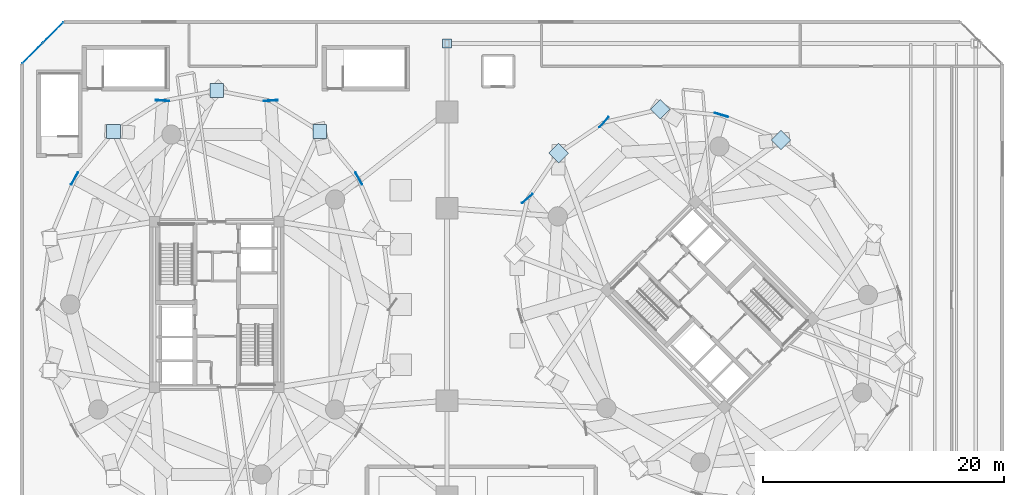
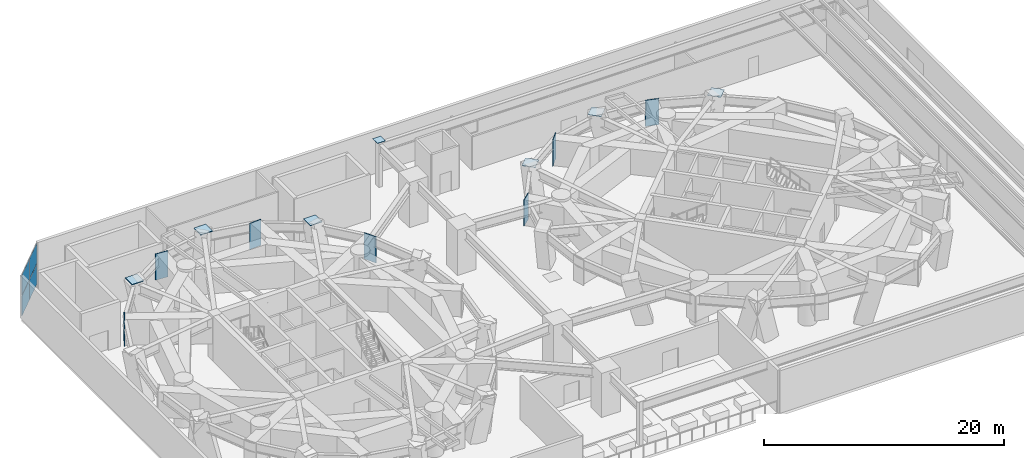
# One storey, part 15 of 25: 18 plates, 1 element without a shape of its own.
"""IFC4 building model written with IfcOpenShell, lengths in metres."""

from ifc_helpers import new_model, si_unit, direction, frame, origin, origin_2d, place, context, subcontext, project, spatial, rectangle, extrude, source, transform, mapped, material, layer, layer_set, type_object, element, aggregate, save


model = new_model("IFC4")

# Units and contexts
model_context = context("Model", 3, precision=1e-05, world=origin(), true_north=direction((0.0, 1.0)))
body_context = subcontext(model_context, "Body", "Model", "MODEL_VIEW")
ifc_project = project(units=[si_unit("LENGTHUNIT", "METRE"), si_unit("AREAUNIT", "SQUARE_METRE"), si_unit("VOLUMEUNIT", "CUBIC_METRE"), si_unit("PLANEANGLEUNIT", "RADIAN"), si_unit("MASSUNIT", "GRAM", prefix="KILO")], contexts=[model_context])

# Site, building, storey
site_placement = place(None, origin())
site = spatial("IfcSite", under=ifc_project, at=site_placement, CompositionType="ELEMENT")
building_placement = place(site_placement, origin())
building = spatial("IfcBuilding", under=site, at=building_placement, Name="Cununo Teusaquillo Station Towers", CompositionType="ELEMENT")
storey_placement = place(building_placement, frame((0.0, 0.0, 17.39990234375)))
storey = spatial("IfcBuildingStorey", under=building, at=storey_placement, Name="L04", CompositionType="ELEMENT", Elevation=17.39990234375)

# Plates
ifc_material_1 = material(Name="Steel ASTM A572 Grade 50", Category="steel")
ifc_layer_1 = layer(ifc_material_1, 0.06005859375)
ifc_layer_set_1 = layer_set([ifc_layer_1], Name="Steel ASTM A572 Grade 50")
plate_type_1 = type_object("IfcPlateType", Name="PLT-NODE-BDN1", PredefinedType="USERDEFINED", material=ifc_layer_set_1)
shared_shape_1 = source(origin(), body_context, "Body", "SweptSolid", [
    extrude(rectangle(XDim=1.14990234375, YDim=1.14990234375, at=origin_2d()), origin(), (0.0, 0.0, 1.0), 0.06005859375),
])
for number, where, z_axis, x_axis, name in (
    (1, (25.064697265625, 38.892333984375, 4.5400390625), (0.0, 0.0, 1.0), (1.0, 0.0, 0.0), "L04 Tower A V-Foot Pier Head Plate V02R"),
    (2, (16.5, 42.2900390625, 4.5400390625), (0.0, 0.0, 1.0), (1.0, 0.0, 0.0), "L04 Tower A V-Foot Pier Head Plate V06L"),
    (3, (7.935302734375, 38.892333984375, 4.5400390625), (0.0, 0.0, 1.0), (1.0, 0.0, 0.0), "L04 Tower A V-Foot Pier Head Plate V06R"),
    (4, (63.41162109375, 38.186279296875, 4.5400390625), (0.0, 0.0, 1.0), (0.707106781187, 0.707106781187, 0.0), "L04 Tower B V-Foot Pier Head Plate V02L"),
    (5, (53.379150390625, 40.733154296875, 4.5400390625), (0.0, 0.0, 1.0), (0.707106781187, 0.707106781187, 0.0), "L04 Tower B V-Foot Pier Head Plate V02R"),
    (6, (44.920654296875, 37.079345703125, 4.5400390625), (0.0, 0.0, 1.0), (0.707106781187, 0.707106781187, 0.0), "L04 Tower B V-Foot Pier Head Plate V06L"),
):
    element("IfcPlate", number, at=place(storey_placement, frame(where, z_axis=z_axis, x_axis=x_axis)), inside=storey, type_object=plate_type_1, Name=name, ObjectType="BASE PLATE", PredefinedType="USERDEFINED", context=body_context, shape_type="MappedRepresentation", body=[
        mapped(shared_shape_1, transform((0.0, 0.0, 0.0), x_axis=(1.0, 0.0, 0.0), y_axis=(0.0, 1.0, 0.0), z_axis=(0.0, 0.0, 1.0), scale=1.0)),
    ])
shared_shape_2 = source(origin(), body_context, "Body", "SweptSolid", [
    extrude(rectangle(XDim=0.06005859375, YDim=1.14990234375, at=origin_2d()), origin(), (0.0, 0.0, 1.0), 2.659912109375),
])
for number, where, z_axis, x_axis, name in (
    (7, (28.314697265625, 34.970947265625, 1.7099609375), (0.0, 0.0, 1.0), (0.879565547385, 0.475777729464, 0.0), "L04 Tower A Transfer Girder End-Cap Plate 02"),
    (8, (21.000732421875, 41.44921875, 1.7099609375), (0.0, 0.0, 1.0), (-0.066796338919, 0.997766630584, 0.0), "L04 Tower A Transfer Girder End-Cap Plate 03"),
    (9, (11.999267578125, 41.44921875, 1.7099609375), (0.0, 0.0, 1.0), (0.066796338919, 0.997766630584, 0.0), "L04 Tower A Transfer Girder End-Cap Plate 04"),
    (10, (4.685302734375, 34.970947265625, 1.7099609375), (0.0, 0.0, 1.0), (-0.879565547385, 0.475777729464, 0.0), "L04 Tower A Transfer Girder End-Cap Plate 05"),
    (11, (58.4501953125, 40.25830078125, 1.7099609375), (0.0, 0.0, 1.0), (0.285521104212, 0.958372421895, 0.0), "L04 Tower B Transfer Girder End-Cap Plate 02"),
    (12, (48.697509765625, 39.667236328125, 1.7099609375), (0.0, 0.0, 1.0), (-0.752759694735, 0.65829540632, 0.0), "L04 Tower B Transfer Girder End-Cap Plate 03"),
    (13, (42.332763671875, 33.302490234375, 1.7099609375), (0.0, 0.0, 1.0), (-0.65829540632, 0.752759694735, 0.0), "L04 Tower B Transfer Girder End-Cap Plate 04"),
):
    element("IfcPlate", number, at=place(storey_placement, frame(where, z_axis=z_axis, x_axis=x_axis)), inside=storey, type_object=plate_type_1, Name=name, ObjectType="BASE PLATE", PredefinedType="USERDEFINED", context=body_context, shape_type="MappedRepresentation", body=[
        mapped(shared_shape_2, transform((0.0, 0.0, 0.0), x_axis=(1.0, 0.0, 0.0), y_axis=(0.0, 1.0, 0.0), z_axis=(0.0, 0.0, 1.0), scale=1.0)),
    ])
ifc_material_2 = material(Name="Steel ASTM A572 Grade 50", Category="steel")
ifc_layer_2 = layer(ifc_material_2, 0.0400390625)
ifc_layer_set_2 = layer_set([ifc_layer_2], Name="Steel ASTM A572 Grade 50")
plate_type_2 = type_object("IfcPlateType", Name="PLT-NODE-CRN1", PredefinedType="USERDEFINED", material=ifc_layer_set_2)
shared_shape_3 = source(origin(), body_context, "Body", "SweptSolid", [
    extrude(rectangle(XDim=0.780029296875, YDim=0.780029296875, at=origin_2d()), origin(), (0.0, 0.0, 1.0), 0.0400390625),
])
plate_1_placement = place(storey_placement, frame((35.64990234375, 46.199951171875, 4.60009765625), z_axis=(0.0, 0.0, 1.0), x_axis=(1.0, 0.0, 0.0)))
element("IfcPlate", 14, at=plate_1_placement, inside=storey, type_object=plate_type_2, Name="L04 Pilaster PIL-NW Sealed Top Cap Plate", ObjectType="GUSSET PLATE", PredefinedType="USERDEFINED", context=body_context, shape_type="MappedRepresentation", body=[
    mapped(shared_shape_3, transform((0.0, 0.0, 0.0), x_axis=(1.0, 0.0, 0.0), y_axis=(0.0, 1.0, 0.0), z_axis=(0.0, 0.0, 1.0), scale=1.0)),
])

# Curtain wall, plates
ifc_material_3 = material(Name="Ceramic-fritted dark low-E double glazing", Category="glass")
ifc_layer_3 = layer(ifc_material_3, 0.179931640625)
ifc_layer_set_3 = layer_set([ifc_layer_3], Name="Ceramic-fritted dark low-E double glazing")
curtain_wall_type = type_object("IfcCurtainWallType", Name="CW-SYS-01", PredefinedType="USERDEFINED", material=ifc_layer_set_3)
curtain_wall_placement = place(storey_placement, origin())
curtain_wall = element("IfcCurtainWall", 15, at=curtain_wall_placement, inside=storey, type_object=curtain_wall_type, Name="L04 Station Podium Corner Curtain Wall 2", ObjectType="FRITTED GLAZING", PredefinedType="USERDEFINED")
ifc_material_4 = material(Name="Ceramic-fritted dark low-E double glazing", Category="glass")
ifc_layer_4 = layer(ifc_material_4, 0.028076171875)
ifc_layer_set_4 = layer_set([ifc_layer_4], Name="Ceramic-fritted dark low-E double glazing")
plate_type_3 = type_object("IfcPlateType", Name="CWP-FRIT-28", PredefinedType="CURTAIN_PANEL", material=ifc_layer_set_4)
shared_shape_4 = source(origin(), body_context, "Body", "SweptSolid", [
    extrude(rectangle(XDim=2.35498046875, YDim=0.028076171875, at=origin_2d()), origin(), (0.0, 0.0, 1.0), 2.044921875),
])
plate_2_placement = place(storey_placement, frame((1.189208984375, 45.38916015625, 0.070068359375), z_axis=(0.0, 0.0, 1.0), x_axis=(0.707106781187, 0.707106781187, 0.0)))
plate_2 = element("IfcPlate", 16, at=plate_2_placement, type_object=plate_type_3, Name="CW-01 panel 1.1", PredefinedType="CURTAIN_PANEL", context=body_context, shape_type="MappedRepresentation", body=[
    mapped(shared_shape_4, transform((0.0, 0.0, 0.0), x_axis=(1.0, 0.0, 0.0), y_axis=(0.0, 1.0, 0.0), z_axis=(0.0, 0.0, 1.0), scale=1.0)),
])
plate_3_placement = place(storey_placement, frame((2.910888671875, 47.11083984375, 0.070068359375), z_axis=(0.0, 0.0, 1.0), x_axis=(0.707106781187, 0.707106781187, 0.0)))
plate_3 = element("IfcPlate", 17, at=plate_3_placement, type_object=plate_type_3, Name="CW-01 panel 2.1", PredefinedType="CURTAIN_PANEL", context=body_context, shape_type="MappedRepresentation", body=[
    mapped(shared_shape_4, transform((0.0, 0.0, 0.0), x_axis=(1.0, 0.0, 0.0), y_axis=(0.0, 1.0, 0.0), z_axis=(0.0, 0.0, 1.0), scale=1.0)),
])
shared_shape_5 = source(origin(), body_context, "Body", "SweptSolid", [
    extrude(rectangle(XDim=2.35498046875, YDim=0.028076171875, at=origin_2d()), origin(), (0.0, 0.0, 1.0), 2.070068359375),
])
plate_4_placement = place(storey_placement, frame((1.189208984375, 45.38916015625, 2.18505859375), z_axis=(0.0, 0.0, 1.0), x_axis=(0.707106781187, 0.707106781187, 0.0)))
plate_4 = element("IfcPlate", 18, at=plate_4_placement, type_object=plate_type_3, Name="CW-01 panel 1.2", PredefinedType="CURTAIN_PANEL", context=body_context, shape_type="MappedRepresentation", body=[
    mapped(shared_shape_5, transform((0.0, 0.0, 0.0), x_axis=(1.0, 0.0, 0.0), y_axis=(0.0, 1.0, 0.0), z_axis=(0.0, 0.0, 1.0), scale=1.0)),
])
plate_5_placement = place(storey_placement, frame((2.910888671875, 47.11083984375, 2.18505859375), z_axis=(0.0, 0.0, 1.0), x_axis=(0.707106781187, 0.707106781187, 0.0)))
plate_5 = element("IfcPlate", 19, at=plate_5_placement, type_object=plate_type_3, Name="CW-01 panel 2.2", PredefinedType="CURTAIN_PANEL", context=body_context, shape_type="MappedRepresentation", body=[
    mapped(shared_shape_5, transform((0.0, 0.0, 0.0), x_axis=(1.0, 0.0, 0.0), y_axis=(0.0, 1.0, 0.0), z_axis=(0.0, 0.0, 1.0), scale=1.0)),
])
aggregate(curtain_wall, [plate_2, plate_4, plate_3, plate_5])

save(model, "model.ifc")
